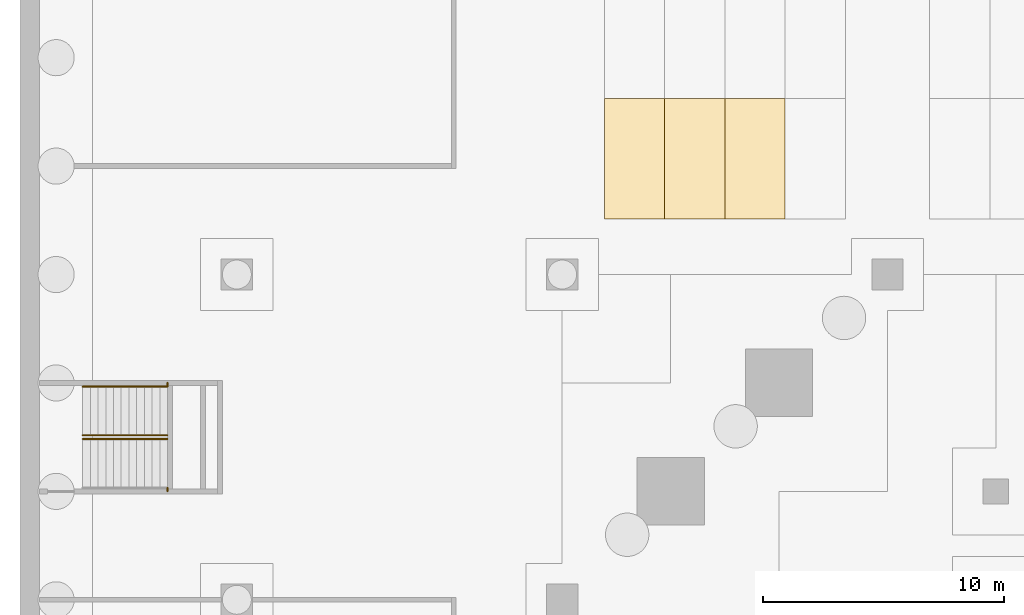
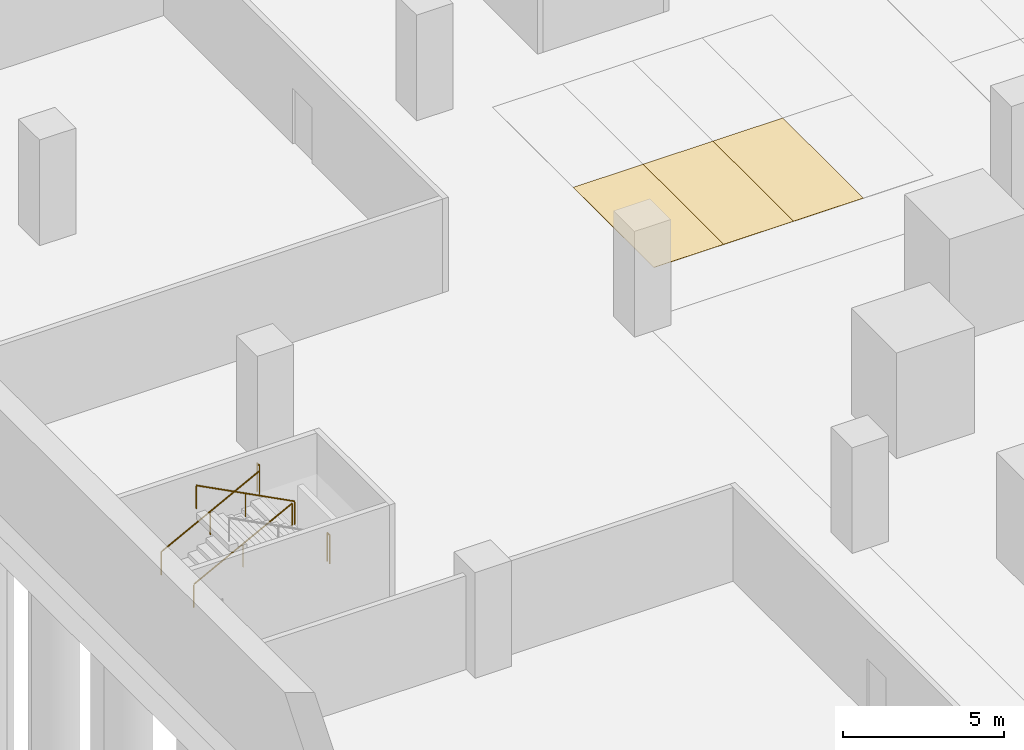
# One storey, part 32 of 40: 5 railings, 3 coverings.
"""IFC4 building model written with IfcOpenShell, lengths in metres."""

from ifc_helpers import new_model, si_unit, direction, frame, origin, origin_2d, place, context, subcontext, project, spatial, polyline, circle, outline, extrude, source, transform, mapped, material, layer, layer_set, type_object, element, save


model = new_model("IFC4")

# Units and contexts
model_context = context("Model", 3, precision=1e-05, world=origin(), true_north=direction((0.0, 1.0)))
body_context = subcontext(model_context, "Body", "Model", "MODEL_VIEW")
ifc_project = project(units=[si_unit("LENGTHUNIT", "METRE"), si_unit("AREAUNIT", "SQUARE_METRE"), si_unit("VOLUMEUNIT", "CUBIC_METRE"), si_unit("PLANEANGLEUNIT", "RADIAN"), si_unit("MASSUNIT", "GRAM", prefix="KILO")], contexts=[model_context])

# Site, building, storey
site_placement = place(None, origin())
site = spatial("IfcSite", under=ifc_project, at=site_placement, CompositionType="ELEMENT")
building_placement = place(site_placement, origin())
building = spatial("IfcBuilding", under=site, at=building_placement, Name="Altepetl Exchange Towers", CompositionType="ELEMENT")
storey_placement = place(building_placement, frame((0.0, 0.0, -8.0)))
storey = spatial("IfcBuildingStorey", under=building, at=storey_placement, Name="B2 Basement parking", CompositionType="ELEMENT", Elevation=-8.0)

# Coverings
ifc_material_1 = material(Name="Road marking paint")
ifc_layer = layer(ifc_material_1, 0.010009765625)
ifc_layer_set = layer_set([ifc_layer], Name="Road marking paint")
covering_type = type_object("IfcCoveringType", Name="Parking bay marking 2500 x 5000", PredefinedType="FLOORING", material=ifc_layer_set)
covering_1_placement = place(storey_placement, origin())
element("IfcCovering", 1, at=covering_1_placement, inside=storey, type_object=covering_type, Name="Parking bay B2-115", PredefinedType="FLOORING", context=body_context, shape_type="SweptSolid", body=[
    extrude(outline(polyline([(24.25, 78.800048828125), (26.75, 78.800048828125), (26.75, 83.800048828125), (24.25, 83.800048828125), (24.25, 78.800048828125)])), origin(), (0.0, 0.0, 1.0), 0.010009765625),
])
covering_2_placement = place(storey_placement, origin())
element("IfcCovering", 2, at=covering_2_placement, inside=storey, type_object=covering_type, Name="Parking bay B2-116", PredefinedType="FLOORING", context=body_context, shape_type="SweptSolid", body=[
    extrude(outline(polyline([(26.75, 78.800048828125), (29.25, 78.800048828125), (29.25, 83.800048828125), (26.75, 83.800048828125), (26.75, 78.800048828125)])), origin(), (0.0, 0.0, 1.0), 0.010009765625),
])
covering_3_placement = place(storey_placement, origin())
element("IfcCovering", 3, at=covering_3_placement, inside=storey, type_object=covering_type, Name="Parking bay B2-117", PredefinedType="FLOORING", context=body_context, shape_type="SweptSolid", body=[
    extrude(outline(polyline([(29.25, 78.800048828125), (31.75, 78.800048828125), (31.75, 83.800048828125), (29.25, 83.800048828125), (29.25, 78.800048828125)])), origin(), (0.0, 0.0, 1.0), 0.010009765625),
])

# Railings
ifc_material_2 = material(Name="Laminated glass and steel", Category="steel")
railing_type_1 = type_object("IfcRailingType", Name="Hall gallery guard 1100", PredefinedType="GUARDRAIL", material=ifc_material_2)
shared_shape_1 = source(origin(), body_context, "Body", "SweptSolid", [
    extrude(circle(Radius=0.02001953125, at=origin_2d()), origin(), (0.0, 0.0, 1.0), 1.050048828125),
])
for number, where, name in (
    (4, (6.1201171875, 72.0, 2.0), "rail:P:B2:ES4land0"),
    (5, (6.1201171875, 67.64990234375, 2.0), "rail:P:B2:ES4land1"),
):
    element("IfcRailing", number, at=place(storey_placement, frame(where)), inside=storey, type_object=railing_type_1, Name=name, PredefinedType="GUARDRAIL", context=body_context, shape_type="SweptSolid", body=[
        extrude(circle(Radius=0.02490234375, at=origin_2d()), frame((0.0, 0.0, 1.0751953125), z_axis=(0.0, -1.0, 0.0), x_axis=(1.0, 0.0, 0.0)), (0.0, 0.0, 1.0), 0.14990234375),
        mapped(shared_shape_1, transform((0.0, 0.0, 0.0))),
        mapped(shared_shape_1, transform((0.0, -0.14990234375, 0.0))),
    ])
ifc_material_3 = material(Name="Stainless steel", Category="steel")
railing_type_2 = type_object("IfcRailingType", Name="Stair handrail 900", PredefinedType="HANDRAIL", material=ifc_material_3)
shared_shape_2 = source(origin(), body_context, "Body", "SweptSolid", [
    extrude(circle(Radius=0.02001953125, at=origin_2d()), origin(), (0.0, 0.0, 1.0), 0.849853515625),
])
for number, where, name in (
    (6, (2.60009765625, 71.85009765625, 0.166748046875), "rail:P:B2:ES4:1a"),
    (7, (2.60009765625, 69.824951171875, 0.166748046875), "rail:P:B2:ES4:1b"),
):
    element("IfcRailing", number, at=place(storey_placement, frame(where)), inside=storey, type_object=railing_type_2, Name=name, PredefinedType="HANDRAIL", context=body_context, shape_type="SweptSolid", body=[
        extrude(circle(Radius=0.02490234375, at=origin_2d()), frame((0.0, 0.0, 0.875), z_axis=(0.886923534906, 0.0, 0.461916272965), x_axis=(0.0, 1.0, 0.0)), (0.0, 0.0, 1.0), 3.96875),
        mapped(shared_shape_2, transform((0.0, 0.0, 0.0))),
        mapped(shared_shape_2, transform((1.760009765625, 0.0, 0.91650390625))),
        mapped(shared_shape_2, transform((3.52001953125, 0.0, 1.833251953125))),
    ])
railing_placement = place(storey_placement, frame((6.1201171875, 69.675048828125, 2.166748046875)))
element("IfcRailing", 8, at=railing_placement, inside=storey, type_object=railing_type_2, Name="rail:P:B2:ES4:2a", PredefinedType="HANDRAIL", context=body_context, shape_type="SweptSolid", body=[
    extrude(circle(Radius=0.02490234375, at=origin_2d()), frame((0.0, 0.0, 0.875), z_axis=(-0.886923534906, 0.0, 0.461916272965), x_axis=(0.0, -1.0, 0.0)), (0.0, 0.0, 1.0), 3.96875),
    mapped(shared_shape_2, transform((0.0, 0.0, 0.0))),
    mapped(shared_shape_2, transform((-1.760009765625, 0.0, 0.91650390625))),
    mapped(shared_shape_2, transform((-3.52001953125, 0.0, 1.833251953125))),
])

save(model, "model.ifc")
